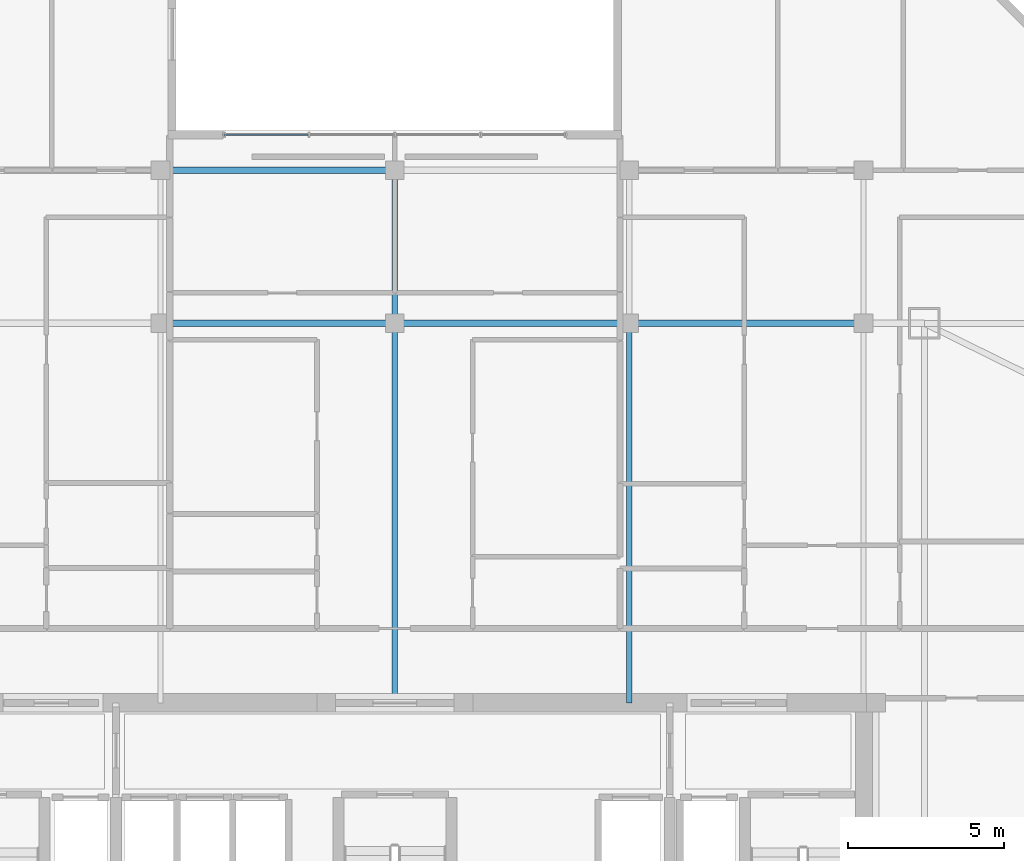
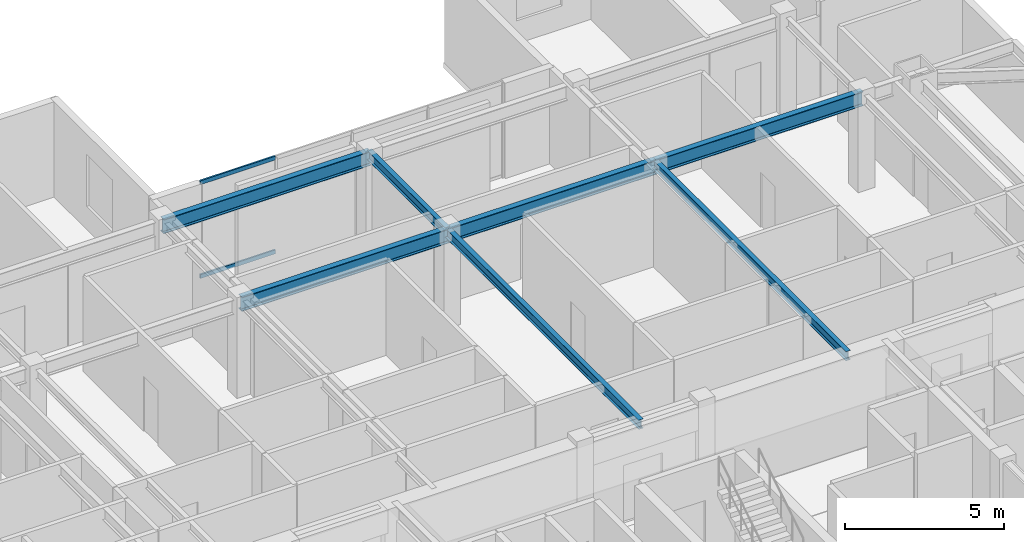
# One storey, part 3 of 11: 7 beams, 2 members, 1 element without a shape of its own.
"""IFC4 building model written with IfcOpenShell, lengths in metres."""

from ifc_helpers import new_model, si_unit, direction, frame, origin, origin_2d, place, context, subcontext, project, spatial, hollow_rectangle, i_section, extrude, material, material_profile, profile_set, type_object, element, aggregate, save


model = new_model("IFC4")

# Units and contexts
model_context = context("Model", 3, precision=1e-05, world=origin(), true_north=direction((0.0, 1.0)))
body_context = subcontext(model_context, "Body", "Model", "MODEL_VIEW")
ifc_project = project(units=[si_unit("LENGTHUNIT", "METRE"), si_unit("AREAUNIT", "SQUARE_METRE"), si_unit("VOLUMEUNIT", "CUBIC_METRE"), si_unit("PLANEANGLEUNIT", "RADIAN"), si_unit("MASSUNIT", "GRAM", prefix="KILO")], contexts=[model_context])

# Site, building, storey
site_placement = place(None, origin())
site = spatial("IfcSite", under=ifc_project, at=site_placement, CompositionType="ELEMENT")
building_placement = place(site_placement, origin())
building = spatial("IfcBuilding", under=site, at=building_placement, Name="Ventersveld Concourse Tower", CompositionType="ELEMENT")
storey_placement = place(building_placement, frame((0.0, 0.0, 256.75)))
storey = spatial("IfcBuildingStorey", under=building, at=storey_placement, Name="L63", CompositionType="ELEMENT", Elevation=256.75)

# Beams
ifc_material_1 = material(Name="Structural steel S355J2", Category="steel")
ifc_material_profile_1 = material_profile(ifc_material_1, i_section(OverallWidth=0.17138671875, OverallDepth=0.35498046875, WebThickness=0.00732421875, FlangeThickness=0.011474609375, FilletRadius=0.01025390625, at=origin_2d()), Name="UB 356x171x51")
ifc_profile_set_1 = profile_set([ifc_material_profile_1], Name="Structural steel S355J2")
beam_type_1 = type_object("IfcBeamType", Name="BM-UB356", PredefinedType="BEAM", material=ifc_profile_set_1)
beam_1_placement = place(storey_placement, frame((28.75, 11.449951171875, 3.472412109375), z_axis=(0.0, 1.0, 0.0), x_axis=(-1.0, 0.0, 0.0)))
element("IfcBeam", 1, at=beam_1_placement, inside=storey, type_object=beam_type_1, Name="L63 N-S Composite Floor Beam South X=28.75", PredefinedType="BEAM", context=body_context, shape_type="SweptSolid", body=[
    extrude(i_section(OverallWidth=0.17138671875, OverallDepth=0.35498046875, WebThickness=0.00732421875, FlangeThickness=0.011474609375, FilletRadius=0.01025390625, at=origin_2d()), origin(), (0.0, 0.0, 1.0), 12.150146484375),
])
beam_2_placement = place(storey_placement, frame((28.75, 23.60009765625, 3.472412109375), z_axis=(0.0, 1.0, 0.0), x_axis=(-1.0, 0.0, 0.0)))
element("IfcBeam", 2, at=beam_2_placement, inside=storey, type_object=beam_type_1, Name="L63 N-S Upper-Zone Floor Beam X=28.75", PredefinedType="BEAM", context=body_context, shape_type="SweptSolid", body=[
    extrude(i_section(OverallWidth=0.17138671875, OverallDepth=0.35498046875, WebThickness=0.00732421875, FlangeThickness=0.011474609375, FilletRadius=0.01025390625, at=origin_2d()), origin(), (0.0, 0.0, 1.0), 4.89990234375),
])
beam_3_placement = place(storey_placement, frame((36.25, 11.449951171875, 3.472412109375), z_axis=(0.0, 1.0, 0.0), x_axis=(-1.0, 0.0, 0.0)))
element("IfcBeam", 3, at=beam_3_placement, inside=storey, type_object=beam_type_1, Name="L63 N-S Composite Floor Beam South X=36.25", PredefinedType="BEAM", context=body_context, shape_type="SweptSolid", body=[
    extrude(i_section(OverallWidth=0.17138671875, OverallDepth=0.35498046875, WebThickness=0.00732421875, FlangeThickness=0.011474609375, FilletRadius=0.01025390625, at=origin_2d()), origin(), (0.0, 0.0, 1.0), 12.150146484375),
])

# Curtain wall, members
ifc_material_2 = material(Name="Anodised aluminium EN AW-6063-T6", Category="aluminium")
curtain_wall_type = type_object("IfcCurtainWallType", Name="CW-SG-4", PredefinedType="NOTDEFINED", material=ifc_material_2)
curtain_wall_placement = place(storey_placement, origin())
curtain_wall = element("IfcCurtainWall", 4, at=curtain_wall_placement, inside=storey, type_object=curtain_wall_type, Name="L63 L63 Sky Garden Recessed Curtain Wall", PredefinedType="NOTDEFINED")
ifc_material_profile_2 = material_profile(ifc_material_2, hollow_rectangle(XDim=0.06005859375, YDim=0.14990234375, WallThickness=0.00390625, at=origin_2d()), Name="ALU 150x60x4")
ifc_profile_set_2 = profile_set([ifc_material_profile_2], Name="Anodised aluminium EN AW-6063-T6")
member_type = type_object("IfcMemberType", Name="CWT-150x60", PredefinedType="USERDEFINED", material=ifc_profile_set_2)
member_1_placement = place(storey_placement, frame((23.27001953125, 29.63623046875, 0.030029296875), z_axis=(1.0, 0.0, 0.0), x_axis=(0.0, 1.0, 0.0)))
member_1 = element("IfcMember", 5, at=member_1_placement, type_object=member_type, Name="CW-L63-SG Transom 1-01", ObjectType="TRANSOM", PredefinedType="USERDEFINED", context=body_context, shape_type="SweptSolid", body=[
    extrude(hollow_rectangle(XDim=0.06005859375, YDim=0.14990234375, WallThickness=0.00390625, at=origin_2d()), origin(), (0.0, 0.0, 1.0), 2.719970703125),
])
member_2_placement = place(storey_placement, frame((23.27001953125, 29.63623046875, 3.6201171875), z_axis=(1.0, 0.0, 0.0), x_axis=(0.0, 1.0, 0.0)))
member_2 = element("IfcMember", 6, at=member_2_placement, type_object=member_type, Name="CW-L63-SG Transom 2-01", ObjectType="TRANSOM", PredefinedType="USERDEFINED", context=body_context, shape_type="SweptSolid", body=[
    extrude(hollow_rectangle(XDim=0.06005859375, YDim=0.14990234375, WallThickness=0.00390625, at=origin_2d()), origin(), (0.0, 0.0, 1.0), 2.719970703125),
])
aggregate(curtain_wall, [member_1, member_2])

# Beams
ifc_material_profile_3 = material_profile(ifc_material_1, i_section(OverallWidth=0.2119140625, OverallDepth=0.54443359375, WebThickness=0.0126953125, FlangeThickness=0.021240234375, FilletRadius=0.0126953125, at=origin_2d()), Name="UB 533x210x122")
ifc_profile_set_3 = profile_set([ifc_material_profile_3], Name="Structural steel S355J2")
beam_type_2 = type_object("IfcBeamType", Name="GRD-UB533H", PredefinedType="T_BEAM", material=ifc_profile_set_3)
for number, where, z_axis, x_axis, name in (
    (7, (21.25, 23.60009765625, 3.377685546875), (1.0, 0.0, 0.0), (0.0, 1.0, 0.0), "L63 Primary E-W Grid Girder Y=23.60 #3"),
    (8, (28.75, 23.60009765625, 3.377685546875), (1.0, 0.0, 0.0), (0.0, 1.0, 0.0), "L63 Primary E-W Grid Girder Y=23.60 #4"),
    (9, (36.25, 23.60009765625, 3.377685546875), (1.0, 0.0, 0.0), (0.0, 1.0, 0.0), "L63 Primary E-W Grid Girder Y=23.60 #5"),
    (10, (21.25, 28.5, 3.377685546875), (1.0, 0.0, 0.0), (0.0, 1.0, 0.0), "L63 Upper-North E-W Girder Y=28.50 #2"),
):
    element("IfcBeam", number, at=place(storey_placement, frame(where, z_axis=z_axis, x_axis=x_axis)), inside=storey, type_object=beam_type_2, Name=name, PredefinedType="T_BEAM", context=body_context, shape_type="SweptSolid", body=[
        extrude(i_section(OverallWidth=0.2119140625, OverallDepth=0.54443359375, WebThickness=0.0126953125, FlangeThickness=0.021240234375, FilletRadius=0.0126953125, at=origin_2d()), origin(), (0.0, 0.0, 1.0), 7.5),
    ])

save(model, "model.ifc")
